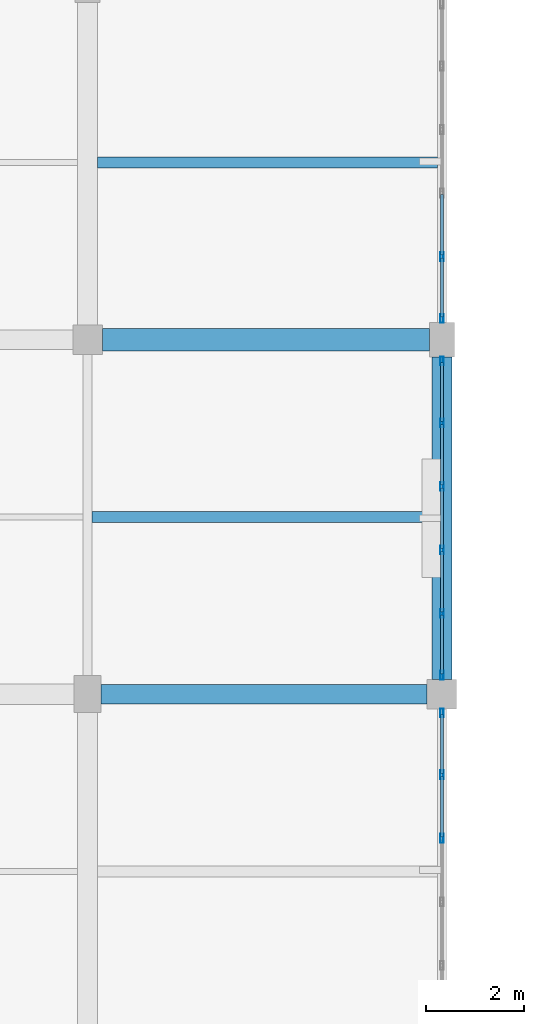
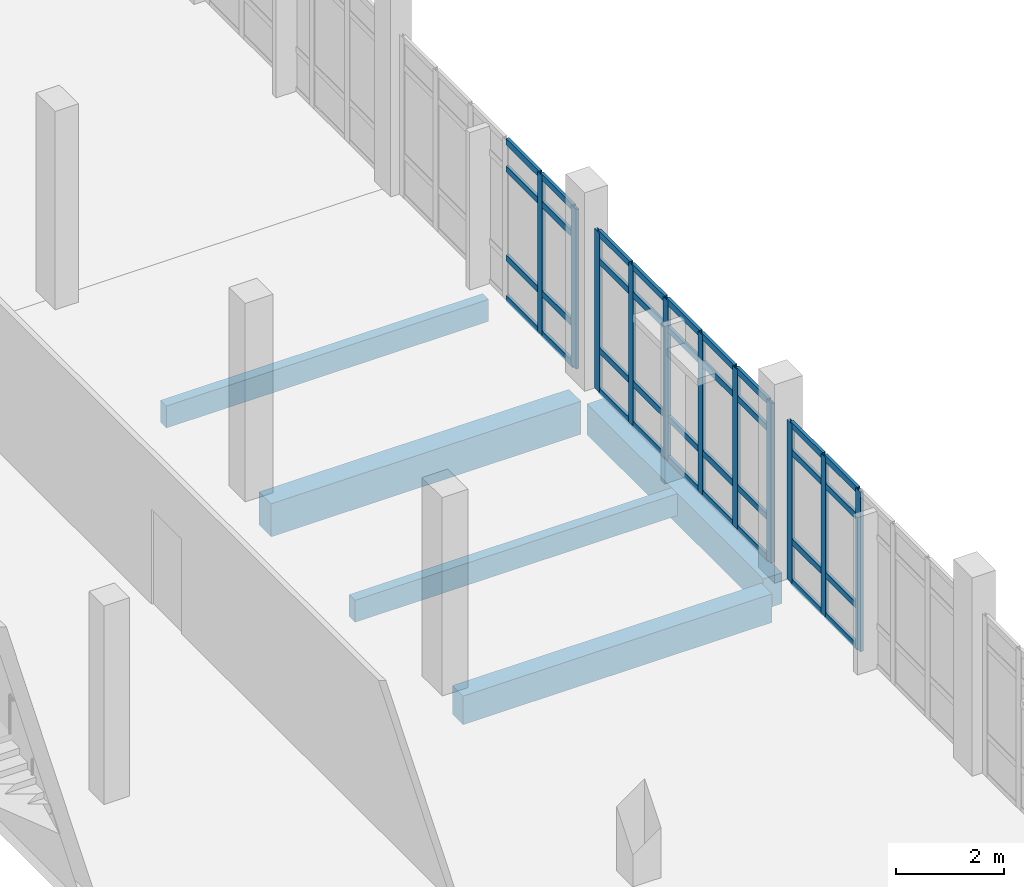
# One storey, part 11 of 57: 47 members, 5 beams, 3 elements without a shape of their own.
"""IFC4 building model written with IfcOpenShell, lengths in metres."""

from ifc_helpers import new_model, si_unit, direction, frame, origin, origin_2d, place, context, subcontext, project, spatial, rectangle, hollow_rectangle, extrude, material, material_profile, profile_set, type_object, element, aggregate, save


model = new_model("IFC4")

# Units and contexts
model_context = context("Model", 3, precision=1e-05, world=origin(), true_north=direction((0.0, 1.0)))
body_context = subcontext(model_context, "Body", "Model", "MODEL_VIEW")
ifc_project = project(units=[si_unit("LENGTHUNIT", "METRE"), si_unit("AREAUNIT", "SQUARE_METRE"), si_unit("VOLUMEUNIT", "CUBIC_METRE"), si_unit("PLANEANGLEUNIT", "RADIAN"), si_unit("MASSUNIT", "GRAM", prefix="KILO")], contexts=[model_context])

# Site, building, storey
site_placement = place(None, origin())
site = spatial("IfcSite", under=ifc_project, at=site_placement, CompositionType="ELEMENT")
building_placement = place(site_placement, origin())
building = spatial("IfcBuilding", under=site, at=building_placement, Name="Kalluvel Institute of Natural Sciences", CompositionType="ELEMENT")
storey_placement = place(building_placement, frame((0.0, 0.0, 23.39990234375)))
storey = spatial("IfcBuildingStorey", under=building, at=storey_placement, Name="L05", CompositionType="ELEMENT", Elevation=23.39990234375)

# Beams
ifc_material_1 = material(Name="Concrete M40", Category="concrete")
ifc_material_profile_1 = material_profile(ifc_material_1, rectangle(XDim=0.39990234375, YDim=0.64990234375, at=origin_2d()), Name="RCB 400x650")
ifc_profile_set_1 = profile_set([ifc_material_profile_1], Name="Concrete M40")
beam_type_1 = type_object("IfcBeamType", Name="BM-RC400x650", PredefinedType="BEAM", material=ifc_profile_set_1)
beam_1_placement = place(storey_placement, frame((28.675048828125, 50.0, -0.625), z_axis=(1.0, 0.0, 0.0), x_axis=(0.0, 1.0, 0.0)))
element("IfcBeam", 1, at=beam_1_placement, inside=storey, type_object=beam_type_1, Name="L05 girder GIR-L05-EW-X284-Y500", PredefinedType="BEAM", context=body_context, shape_type="SweptSolid", body=[
    extrude(rectangle(XDim=0.39990234375, YDim=0.64990234375, at=origin_2d()), origin(), (0.0, 0.0, 1.0), 6.625),
])
ifc_material_profile_2 = material_profile(ifc_material_1, rectangle(XDim=0.39990234375, YDim=0.699951171875, at=origin_2d()), Name="RCB 400x700")
ifc_profile_set_2 = profile_set([ifc_material_profile_2], Name="Concrete M40")
beam_type_2 = type_object("IfcBeamType", Name="BM-RC400x700", PredefinedType="BEAM", material=ifc_profile_set_2)
beam_2_placement = place(storey_placement, frame((35.60009765625, 50.300048828125, -0.64990234375), z_axis=(0.0, 1.0, 0.0), x_axis=(-1.0, 0.0, 0.0)))
element("IfcBeam", 2, at=beam_2_placement, inside=storey, type_object=beam_type_2, Name="L05 girder GIR-L05-NS-X356-Y500", PredefinedType="BEAM", context=body_context, shape_type="SweptSolid", body=[
    extrude(rectangle(XDim=0.39990234375, YDim=0.699951171875, at=origin_2d()), origin(), (0.0, 0.0, 1.0), 6.550048828125),
])
ifc_material_profile_3 = material_profile(ifc_material_1, rectangle(XDim=0.449951171875, YDim=0.75, at=origin_2d()), Name="RCB 450x750")
ifc_profile_set_3 = profile_set([ifc_material_profile_3], Name="Concrete M40")
beam_type_3 = type_object("IfcBeamType", Name="BM-RC450x750", PredefinedType="BEAM", material=ifc_profile_set_3)
beam_3_placement = place(storey_placement, frame((28.699951171875, 57.199951171875, -0.6748046875), z_axis=(1.0, 0.0, 0.0), x_axis=(0.0, 1.0, 0.0)))
element("IfcBeam", 3, at=beam_3_placement, inside=storey, type_object=beam_type_3, Name="L05 girder GIR-L05-EW-X284-Y572", PredefinedType="BEAM", context=body_context, shape_type="SweptSolid", body=[
    extrude(rectangle(XDim=0.449951171875, YDim=0.75, at=origin_2d()), origin(), (0.0, 0.0, 1.0), 6.650146484375),
])

# Curtain wall, members
ifc_material_2 = material(Name="Aluminium AW-6063 T6", Category="aluminium")
curtain_wall_type = type_object("IfcCurtainWallType", Name="CW-DRY-45", PredefinedType="USERDEFINED", material=ifc_material_2)
curtain_wall_1_placement = place(storey_placement, origin())
curtain_wall_1 = element("IfcCurtainWall", 4, at=curtain_wall_1_placement, inside=storey, type_object=curtain_wall_type, Name="L05 Gothic lancet curtain wall CWA-L05-X356-Y432", ObjectType="UNITISED LANCET FACADE", PredefinedType="USERDEFINED")
ifc_material_profile_4 = material_profile(ifc_material_2, hollow_rectangle(XDim=0.06494140625, YDim=0.179931640625, WallThickness=0.00439453125, at=origin_2d()), Name="CWM 65x180")
ifc_profile_set_4 = profile_set([ifc_material_profile_4], Name="Aluminium AW-6063 T6")
member_type_1 = type_object("IfcMemberType", Name="CWM-65x180", PredefinedType="MULLION", material=ifc_profile_set_4)
member_1_placement = place(storey_placement, frame((35.60009765625, 47.070068359375, 0.0), z_axis=(0.0, 0.0, 1.0), x_axis=(-1.0, 0.0, 0.0)))
member_1 = element("IfcMember", 5, at=member_1_placement, type_object=member_type_1, Name="CW-03 mullion 4", PredefinedType="MULLION", context=body_context, shape_type="SweptSolid", body=[
    extrude(hollow_rectangle(XDim=0.06494140625, YDim=0.179931640625, WallThickness=0.00439453125, at=origin_2d()), origin(), (0.0, 0.0, 1.0), 3.6201171875),
])
member_2_placement = place(storey_placement, frame((35.60009765625, 48.360107421875, 0.0), z_axis=(0.0, 0.0, 1.0), x_axis=(-1.0, 0.0, 0.0)))
member_2 = element("IfcMember", 6, at=member_2_placement, type_object=member_type_1, Name="CW-03 mullion 5", PredefinedType="MULLION", context=body_context, shape_type="SweptSolid", body=[
    extrude(hollow_rectangle(XDim=0.06494140625, YDim=0.179931640625, WallThickness=0.00439453125, at=origin_2d()), origin(), (0.0, 0.0, 1.0), 3.6201171875),
])
member_3_placement = place(storey_placement, frame((35.60009765625, 49.617431640625, 0.0), z_axis=(0.0, 0.0, 1.0), x_axis=(-1.0, 0.0, 0.0)))
member_3 = element("IfcMember", 7, at=member_3_placement, type_object=member_type_1, Name="CW-03 mullion 6", PredefinedType="MULLION", context=body_context, shape_type="SweptSolid", body=[
    extrude(hollow_rectangle(XDim=0.06494140625, YDim=0.179931640625, WallThickness=0.00439453125, at=origin_2d()), origin(), (0.0, 0.0, 1.0), 3.6201171875),
])

curtain_wall_2_placement = place(storey_placement, origin())
curtain_wall_2 = element("IfcCurtainWall", 8, at=curtain_wall_2_placement, inside=storey, type_object=curtain_wall_type, Name="L05 Gothic lancet curtain wall CWA-L05-X356-Y504", ObjectType="UNITISED LANCET FACADE", PredefinedType="USERDEFINED")
member_4_placement = place(storey_placement, frame((35.60009765625, 50.382568359375, 0.0), z_axis=(0.0, 0.0, 1.0), x_axis=(-1.0, 0.0, 0.0)))
member_4 = element("IfcMember", 9, at=member_4_placement, type_object=member_type_1, Name="CW-03 mullion 1", PredefinedType="MULLION", context=body_context, shape_type="SweptSolid", body=[
    extrude(hollow_rectangle(XDim=0.06494140625, YDim=0.179931640625, WallThickness=0.00439453125, at=origin_2d()), origin(), (0.0, 0.0, 1.0), 3.6201171875),
])
member_5_placement = place(storey_placement, frame((35.60009765625, 51.639892578125, 0.0), z_axis=(0.0, 0.0, 1.0), x_axis=(-1.0, 0.0, 0.0)))
member_5 = element("IfcMember", 10, at=member_5_placement, type_object=member_type_1, Name="CW-03 mullion 2", PredefinedType="MULLION", context=body_context, shape_type="SweptSolid", body=[
    extrude(hollow_rectangle(XDim=0.06494140625, YDim=0.179931640625, WallThickness=0.00439453125, at=origin_2d()), origin(), (0.0, 0.0, 1.0), 3.6201171875),
])
member_6_placement = place(storey_placement, frame((35.60009765625, 52.929931640625, 0.0), z_axis=(0.0, 0.0, 1.0), x_axis=(-1.0, 0.0, 0.0)))
member_6 = element("IfcMember", 11, at=member_6_placement, type_object=member_type_1, Name="CW-03 mullion 3", PredefinedType="MULLION", context=body_context, shape_type="SweptSolid", body=[
    extrude(hollow_rectangle(XDim=0.06494140625, YDim=0.179931640625, WallThickness=0.00439453125, at=origin_2d()), origin(), (0.0, 0.0, 1.0), 3.6201171875),
])
member_7_placement = place(storey_placement, frame((35.60009765625, 54.219970703125, 0.0), z_axis=(0.0, 0.0, 1.0), x_axis=(-1.0, 0.0, 0.0)))
member_7 = element("IfcMember", 12, at=member_7_placement, type_object=member_type_1, Name="CW-03 mullion 4", PredefinedType="MULLION", context=body_context, shape_type="SweptSolid", body=[
    extrude(hollow_rectangle(XDim=0.06494140625, YDim=0.179931640625, WallThickness=0.00439453125, at=origin_2d()), origin(), (0.0, 0.0, 1.0), 3.6201171875),
])
member_8_placement = place(storey_placement, frame((35.60009765625, 55.510009765625, 0.0), z_axis=(0.0, 0.0, 1.0), x_axis=(-1.0, 0.0, 0.0)))
member_8 = element("IfcMember", 13, at=member_8_placement, type_object=member_type_1, Name="CW-03 mullion 5", PredefinedType="MULLION", context=body_context, shape_type="SweptSolid", body=[
    extrude(hollow_rectangle(XDim=0.06494140625, YDim=0.179931640625, WallThickness=0.00439453125, at=origin_2d()), origin(), (0.0, 0.0, 1.0), 3.6201171875),
])
member_9_placement = place(storey_placement, frame((35.60009765625, 56.767578125, 0.0), z_axis=(0.0, 0.0, 1.0), x_axis=(-1.0, 0.0, 0.0)))
member_9 = element("IfcMember", 14, at=member_9_placement, type_object=member_type_1, Name="CW-03 mullion 6", PredefinedType="MULLION", context=body_context, shape_type="SweptSolid", body=[
    extrude(hollow_rectangle(XDim=0.06494140625, YDim=0.179931640625, WallThickness=0.00439453125, at=origin_2d()), origin(), (0.0, 0.0, 1.0), 3.6201171875),
])

curtain_wall_3_placement = place(storey_placement, origin())
curtain_wall_3 = element("IfcCurtainWall", 15, at=curtain_wall_3_placement, inside=storey, type_object=curtain_wall_type, Name="L05 Gothic lancet curtain wall CWA-L05-X356-Y576", ObjectType="UNITISED LANCET FACADE", PredefinedType="USERDEFINED")
member_10_placement = place(storey_placement, frame((35.60009765625, 57.632568359375, 0.0), z_axis=(0.0, 0.0, 1.0), x_axis=(-1.0, 0.0, 0.0)))
member_10 = element("IfcMember", 16, at=member_10_placement, type_object=member_type_1, Name="CW-03 mullion 1", PredefinedType="MULLION", context=body_context, shape_type="SweptSolid", body=[
    extrude(hollow_rectangle(XDim=0.06494140625, YDim=0.179931640625, WallThickness=0.00439453125, at=origin_2d()), origin(), (0.0, 0.0, 1.0), 3.6201171875),
])
member_11_placement = place(storey_placement, frame((35.60009765625, 58.889892578125, 0.0), z_axis=(0.0, 0.0, 1.0), x_axis=(-1.0, 0.0, 0.0)))
member_11 = element("IfcMember", 17, at=member_11_placement, type_object=member_type_1, Name="CW-03 mullion 2", PredefinedType="MULLION", context=body_context, shape_type="SweptSolid", body=[
    extrude(hollow_rectangle(XDim=0.06494140625, YDim=0.179931640625, WallThickness=0.00439453125, at=origin_2d()), origin(), (0.0, 0.0, 1.0), 3.6201171875),
])

# Member
ifc_material_profile_5 = material_profile(ifc_material_2, hollow_rectangle(XDim=0.06494140625, YDim=0.139892578125, WallThickness=0.00439453125, at=origin_2d()), Name="CWT 65x140")
ifc_profile_set_5 = profile_set([ifc_material_profile_5], Name="Aluminium AW-6063 T6")
member_type_2 = type_object("IfcMemberType", Name="CWT-65x140", PredefinedType="USERDEFINED", material=ifc_profile_set_5)
member_12_placement = place(storey_placement, frame((35.60009765625, 47.1025390625, 0.03271484375), z_axis=(0.0, 1.0, 0.0), x_axis=(-1.0, 0.0, 0.0)))
member_12 = element("IfcMember", 18, at=member_12_placement, type_object=member_type_2, Name="CW-03 transom 4.1", ObjectType="TRANSOM", PredefinedType="USERDEFINED", context=body_context, shape_type="SweptSolid", body=[
    extrude(hollow_rectangle(XDim=0.06494140625, YDim=0.139892578125, WallThickness=0.00439453125, at=origin_2d()), origin(), (0.0, 0.0, 1.0), 1.224853515625),
])

member_13_placement = place(storey_placement, frame((35.60009765625, 47.1025390625, 0.9501953125), z_axis=(0.0, 1.0, 0.0), x_axis=(-1.0, 0.0, 0.0)))
member_13 = element("IfcMember", 19, at=member_13_placement, type_object=member_type_2, Name="CW-03 transom 4.2", ObjectType="TRANSOM", PredefinedType="USERDEFINED", context=body_context, shape_type="SweptSolid", body=[
    extrude(hollow_rectangle(XDim=0.06494140625, YDim=0.139892578125, WallThickness=0.00439453125, at=origin_2d()), origin(), (0.0, 0.0, 1.0), 1.224853515625),
])

member_14_placement = place(storey_placement, frame((35.60009765625, 47.1025390625, 2.97021484375), z_axis=(0.0, 1.0, 0.0), x_axis=(-1.0, 0.0, 0.0)))
member_14 = element("IfcMember", 20, at=member_14_placement, type_object=member_type_2, Name="CW-03 transom 4.3", ObjectType="TRANSOM", PredefinedType="USERDEFINED", context=body_context, shape_type="SweptSolid", body=[
    extrude(hollow_rectangle(XDim=0.06494140625, YDim=0.139892578125, WallThickness=0.00439453125, at=origin_2d()), origin(), (0.0, 0.0, 1.0), 1.224853515625),
])

member_15_placement = place(storey_placement, frame((35.60009765625, 47.1025390625, 3.587646484375), z_axis=(0.0, 1.0, 0.0), x_axis=(-1.0, 0.0, 0.0)))
member_15 = element("IfcMember", 21, at=member_15_placement, type_object=member_type_2, Name="CW-03 transom 4.4", ObjectType="TRANSOM", PredefinedType="USERDEFINED", context=body_context, shape_type="SweptSolid", body=[
    extrude(hollow_rectangle(XDim=0.06494140625, YDim=0.139892578125, WallThickness=0.00439453125, at=origin_2d()), origin(), (0.0, 0.0, 1.0), 1.224853515625),
])

member_16_placement = place(storey_placement, frame((35.60009765625, 48.392578125, 0.03271484375), z_axis=(0.0, 1.0, 0.0), x_axis=(-1.0, 0.0, 0.0)))
member_16 = element("IfcMember", 22, at=member_16_placement, type_object=member_type_2, Name="CW-03 transom 5.1", ObjectType="TRANSOM", PredefinedType="USERDEFINED", context=body_context, shape_type="SweptSolid", body=[
    extrude(hollow_rectangle(XDim=0.06494140625, YDim=0.139892578125, WallThickness=0.00439453125, at=origin_2d()), origin(), (0.0, 0.0, 1.0), 1.1923828125),
])

member_17_placement = place(storey_placement, frame((35.60009765625, 48.392578125, 0.9501953125), z_axis=(0.0, 1.0, 0.0), x_axis=(-1.0, 0.0, 0.0)))
member_17 = element("IfcMember", 23, at=member_17_placement, type_object=member_type_2, Name="CW-03 transom 5.2", ObjectType="TRANSOM", PredefinedType="USERDEFINED", context=body_context, shape_type="SweptSolid", body=[
    extrude(hollow_rectangle(XDim=0.06494140625, YDim=0.139892578125, WallThickness=0.00439453125, at=origin_2d()), origin(), (0.0, 0.0, 1.0), 1.1923828125),
])

member_18_placement = place(storey_placement, frame((35.60009765625, 48.392578125, 2.97021484375), z_axis=(0.0, 1.0, 0.0), x_axis=(-1.0, 0.0, 0.0)))
member_18 = element("IfcMember", 24, at=member_18_placement, type_object=member_type_2, Name="CW-03 transom 5.3", ObjectType="TRANSOM", PredefinedType="USERDEFINED", context=body_context, shape_type="SweptSolid", body=[
    extrude(hollow_rectangle(XDim=0.06494140625, YDim=0.139892578125, WallThickness=0.00439453125, at=origin_2d()), origin(), (0.0, 0.0, 1.0), 1.1923828125),
])

member_19_placement = place(storey_placement, frame((35.60009765625, 48.392578125, 3.587646484375), z_axis=(0.0, 1.0, 0.0), x_axis=(-1.0, 0.0, 0.0)))
member_19 = element("IfcMember", 25, at=member_19_placement, type_object=member_type_2, Name="CW-03 transom 5.4", ObjectType="TRANSOM", PredefinedType="USERDEFINED", context=body_context, shape_type="SweptSolid", body=[
    extrude(hollow_rectangle(XDim=0.06494140625, YDim=0.139892578125, WallThickness=0.00439453125, at=origin_2d()), origin(), (0.0, 0.0, 1.0), 1.1923828125),
])

aggregate(curtain_wall_1, [member_1, member_2, member_3, member_12, member_13, member_14, member_15, member_16, member_17, member_18, member_19])

member_20_placement = place(storey_placement, frame((35.60009765625, 50.4150390625, 0.03271484375), z_axis=(0.0, 1.0, 0.0), x_axis=(-1.0, 0.0, 0.0)))
member_20 = element("IfcMember", 26, at=member_20_placement, type_object=member_type_2, Name="CW-03 transom 1.1", ObjectType="TRANSOM", PredefinedType="USERDEFINED", context=body_context, shape_type="SweptSolid", body=[
    extrude(hollow_rectangle(XDim=0.06494140625, YDim=0.139892578125, WallThickness=0.00439453125, at=origin_2d()), origin(), (0.0, 0.0, 1.0), 1.1923828125),
])

member_21_placement = place(storey_placement, frame((35.60009765625, 50.4150390625, 0.9501953125), z_axis=(0.0, 1.0, 0.0), x_axis=(-1.0, 0.0, 0.0)))
member_21 = element("IfcMember", 27, at=member_21_placement, type_object=member_type_2, Name="CW-03 transom 1.2", ObjectType="TRANSOM", PredefinedType="USERDEFINED", context=body_context, shape_type="SweptSolid", body=[
    extrude(hollow_rectangle(XDim=0.06494140625, YDim=0.139892578125, WallThickness=0.00439453125, at=origin_2d()), origin(), (0.0, 0.0, 1.0), 1.1923828125),
])

member_22_placement = place(storey_placement, frame((35.60009765625, 50.4150390625, 2.97021484375), z_axis=(0.0, 1.0, 0.0), x_axis=(-1.0, 0.0, 0.0)))
member_22 = element("IfcMember", 28, at=member_22_placement, type_object=member_type_2, Name="CW-03 transom 1.3", ObjectType="TRANSOM", PredefinedType="USERDEFINED", context=body_context, shape_type="SweptSolid", body=[
    extrude(hollow_rectangle(XDim=0.06494140625, YDim=0.139892578125, WallThickness=0.00439453125, at=origin_2d()), origin(), (0.0, 0.0, 1.0), 1.1923828125),
])

member_23_placement = place(storey_placement, frame((35.60009765625, 50.4150390625, 3.587646484375), z_axis=(0.0, 1.0, 0.0), x_axis=(-1.0, 0.0, 0.0)))
member_23 = element("IfcMember", 29, at=member_23_placement, type_object=member_type_2, Name="CW-03 transom 1.4", ObjectType="TRANSOM", PredefinedType="USERDEFINED", context=body_context, shape_type="SweptSolid", body=[
    extrude(hollow_rectangle(XDim=0.06494140625, YDim=0.139892578125, WallThickness=0.00439453125, at=origin_2d()), origin(), (0.0, 0.0, 1.0), 1.1923828125),
])

member_24_placement = place(storey_placement, frame((35.60009765625, 51.672607421875, 0.03271484375), z_axis=(0.0, 1.0, 0.0), x_axis=(-1.0, 0.0, 0.0)))
member_24 = element("IfcMember", 30, at=member_24_placement, type_object=member_type_2, Name="CW-03 transom 2.1", ObjectType="TRANSOM", PredefinedType="USERDEFINED", context=body_context, shape_type="SweptSolid", body=[
    extrude(hollow_rectangle(XDim=0.06494140625, YDim=0.139892578125, WallThickness=0.00439453125, at=origin_2d()), origin(), (0.0, 0.0, 1.0), 1.224853515625),
])

member_25_placement = place(storey_placement, frame((35.60009765625, 51.672607421875, 0.9501953125), z_axis=(0.0, 1.0, 0.0), x_axis=(-1.0, 0.0, 0.0)))
member_25 = element("IfcMember", 31, at=member_25_placement, type_object=member_type_2, Name="CW-03 transom 2.2", ObjectType="TRANSOM", PredefinedType="USERDEFINED", context=body_context, shape_type="SweptSolid", body=[
    extrude(hollow_rectangle(XDim=0.06494140625, YDim=0.139892578125, WallThickness=0.00439453125, at=origin_2d()), origin(), (0.0, 0.0, 1.0), 1.224853515625),
])

member_26_placement = place(storey_placement, frame((35.60009765625, 51.672607421875, 2.97021484375), z_axis=(0.0, 1.0, 0.0), x_axis=(-1.0, 0.0, 0.0)))
member_26 = element("IfcMember", 32, at=member_26_placement, type_object=member_type_2, Name="CW-03 transom 2.3", ObjectType="TRANSOM", PredefinedType="USERDEFINED", context=body_context, shape_type="SweptSolid", body=[
    extrude(hollow_rectangle(XDim=0.06494140625, YDim=0.139892578125, WallThickness=0.00439453125, at=origin_2d()), origin(), (0.0, 0.0, 1.0), 1.224853515625),
])

member_27_placement = place(storey_placement, frame((35.60009765625, 51.672607421875, 3.587646484375), z_axis=(0.0, 1.0, 0.0), x_axis=(-1.0, 0.0, 0.0)))
member_27 = element("IfcMember", 33, at=member_27_placement, type_object=member_type_2, Name="CW-03 transom 2.4", ObjectType="TRANSOM", PredefinedType="USERDEFINED", context=body_context, shape_type="SweptSolid", body=[
    extrude(hollow_rectangle(XDim=0.06494140625, YDim=0.139892578125, WallThickness=0.00439453125, at=origin_2d()), origin(), (0.0, 0.0, 1.0), 1.224853515625),
])

member_28_placement = place(storey_placement, frame((35.60009765625, 52.96240234375, 0.03271484375), z_axis=(0.0, 1.0, 0.0), x_axis=(-1.0, 0.0, 0.0)))
member_28 = element("IfcMember", 34, at=member_28_placement, type_object=member_type_2, Name="CW-03 transom 3.1", ObjectType="TRANSOM", PredefinedType="USERDEFINED", context=body_context, shape_type="SweptSolid", body=[
    extrude(hollow_rectangle(XDim=0.06494140625, YDim=0.139892578125, WallThickness=0.00439453125, at=origin_2d()), origin(), (0.0, 0.0, 1.0), 1.22509765625),
])

member_29_placement = place(storey_placement, frame((35.60009765625, 52.96240234375, 0.9501953125), z_axis=(0.0, 1.0, 0.0), x_axis=(-1.0, 0.0, 0.0)))
member_29 = element("IfcMember", 35, at=member_29_placement, type_object=member_type_2, Name="CW-03 transom 3.2", ObjectType="TRANSOM", PredefinedType="USERDEFINED", context=body_context, shape_type="SweptSolid", body=[
    extrude(hollow_rectangle(XDim=0.06494140625, YDim=0.139892578125, WallThickness=0.00439453125, at=origin_2d()), origin(), (0.0, 0.0, 1.0), 1.22509765625),
])

member_30_placement = place(storey_placement, frame((35.60009765625, 52.96240234375, 2.97021484375), z_axis=(0.0, 1.0, 0.0), x_axis=(-1.0, 0.0, 0.0)))
member_30 = element("IfcMember", 36, at=member_30_placement, type_object=member_type_2, Name="CW-03 transom 3.3", ObjectType="TRANSOM", PredefinedType="USERDEFINED", context=body_context, shape_type="SweptSolid", body=[
    extrude(hollow_rectangle(XDim=0.06494140625, YDim=0.139892578125, WallThickness=0.00439453125, at=origin_2d()), origin(), (0.0, 0.0, 1.0), 1.22509765625),
])

member_31_placement = place(storey_placement, frame((35.60009765625, 52.96240234375, 3.587646484375), z_axis=(0.0, 1.0, 0.0), x_axis=(-1.0, 0.0, 0.0)))
member_31 = element("IfcMember", 37, at=member_31_placement, type_object=member_type_2, Name="CW-03 transom 3.4", ObjectType="TRANSOM", PredefinedType="USERDEFINED", context=body_context, shape_type="SweptSolid", body=[
    extrude(hollow_rectangle(XDim=0.06494140625, YDim=0.139892578125, WallThickness=0.00439453125, at=origin_2d()), origin(), (0.0, 0.0, 1.0), 1.22509765625),
])

member_32_placement = place(storey_placement, frame((35.60009765625, 54.25244140625, 0.03271484375), z_axis=(0.0, 1.0, 0.0), x_axis=(-1.0, 0.0, 0.0)))
member_32 = element("IfcMember", 38, at=member_32_placement, type_object=member_type_2, Name="CW-03 transom 4.1", ObjectType="TRANSOM", PredefinedType="USERDEFINED", context=body_context, shape_type="SweptSolid", body=[
    extrude(hollow_rectangle(XDim=0.06494140625, YDim=0.139892578125, WallThickness=0.00439453125, at=origin_2d()), origin(), (0.0, 0.0, 1.0), 1.22509765625),
])

member_33_placement = place(storey_placement, frame((35.60009765625, 54.25244140625, 0.9501953125), z_axis=(0.0, 1.0, 0.0), x_axis=(-1.0, 0.0, 0.0)))
member_33 = element("IfcMember", 39, at=member_33_placement, type_object=member_type_2, Name="CW-03 transom 4.2", ObjectType="TRANSOM", PredefinedType="USERDEFINED", context=body_context, shape_type="SweptSolid", body=[
    extrude(hollow_rectangle(XDim=0.06494140625, YDim=0.139892578125, WallThickness=0.00439453125, at=origin_2d()), origin(), (0.0, 0.0, 1.0), 1.22509765625),
])

member_34_placement = place(storey_placement, frame((35.60009765625, 54.25244140625, 2.97021484375), z_axis=(0.0, 1.0, 0.0), x_axis=(-1.0, 0.0, 0.0)))
member_34 = element("IfcMember", 40, at=member_34_placement, type_object=member_type_2, Name="CW-03 transom 4.3", ObjectType="TRANSOM", PredefinedType="USERDEFINED", context=body_context, shape_type="SweptSolid", body=[
    extrude(hollow_rectangle(XDim=0.06494140625, YDim=0.139892578125, WallThickness=0.00439453125, at=origin_2d()), origin(), (0.0, 0.0, 1.0), 1.22509765625),
])

member_35_placement = place(storey_placement, frame((35.60009765625, 54.25244140625, 3.587646484375), z_axis=(0.0, 1.0, 0.0), x_axis=(-1.0, 0.0, 0.0)))
member_35 = element("IfcMember", 41, at=member_35_placement, type_object=member_type_2, Name="CW-03 transom 4.4", ObjectType="TRANSOM", PredefinedType="USERDEFINED", context=body_context, shape_type="SweptSolid", body=[
    extrude(hollow_rectangle(XDim=0.06494140625, YDim=0.139892578125, WallThickness=0.00439453125, at=origin_2d()), origin(), (0.0, 0.0, 1.0), 1.22509765625),
])

member_36_placement = place(storey_placement, frame((35.60009765625, 55.54248046875, 0.03271484375), z_axis=(0.0, 1.0, 0.0), x_axis=(-1.0, 0.0, 0.0)))
member_36 = element("IfcMember", 42, at=member_36_placement, type_object=member_type_2, Name="CW-03 transom 5.1", ObjectType="TRANSOM", PredefinedType="USERDEFINED", context=body_context, shape_type="SweptSolid", body=[
    extrude(hollow_rectangle(XDim=0.06494140625, YDim=0.139892578125, WallThickness=0.00439453125, at=origin_2d()), origin(), (0.0, 0.0, 1.0), 1.192626953125),
])

member_37_placement = place(storey_placement, frame((35.60009765625, 55.54248046875, 0.9501953125), z_axis=(0.0, 1.0, 0.0), x_axis=(-1.0, 0.0, 0.0)))
member_37 = element("IfcMember", 43, at=member_37_placement, type_object=member_type_2, Name="CW-03 transom 5.2", ObjectType="TRANSOM", PredefinedType="USERDEFINED", context=body_context, shape_type="SweptSolid", body=[
    extrude(hollow_rectangle(XDim=0.06494140625, YDim=0.139892578125, WallThickness=0.00439453125, at=origin_2d()), origin(), (0.0, 0.0, 1.0), 1.192626953125),
])

member_38_placement = place(storey_placement, frame((35.60009765625, 55.54248046875, 2.97021484375), z_axis=(0.0, 1.0, 0.0), x_axis=(-1.0, 0.0, 0.0)))
member_38 = element("IfcMember", 44, at=member_38_placement, type_object=member_type_2, Name="CW-03 transom 5.3", ObjectType="TRANSOM", PredefinedType="USERDEFINED", context=body_context, shape_type="SweptSolid", body=[
    extrude(hollow_rectangle(XDim=0.06494140625, YDim=0.139892578125, WallThickness=0.00439453125, at=origin_2d()), origin(), (0.0, 0.0, 1.0), 1.192626953125),
])

member_39_placement = place(storey_placement, frame((35.60009765625, 55.54248046875, 3.587646484375), z_axis=(0.0, 1.0, 0.0), x_axis=(-1.0, 0.0, 0.0)))
member_39 = element("IfcMember", 45, at=member_39_placement, type_object=member_type_2, Name="CW-03 transom 5.4", ObjectType="TRANSOM", PredefinedType="USERDEFINED", context=body_context, shape_type="SweptSolid", body=[
    extrude(hollow_rectangle(XDim=0.06494140625, YDim=0.139892578125, WallThickness=0.00439453125, at=origin_2d()), origin(), (0.0, 0.0, 1.0), 1.192626953125),
])

aggregate(curtain_wall_2, [member_4, member_5, member_6, member_7, member_8, member_9, member_20, member_21, member_22, member_23, member_24, member_25, member_26, member_27, member_28, member_29, member_30, member_31, member_32, member_33, member_34, member_35, member_36, member_37, member_38, member_39])

member_40_placement = place(storey_placement, frame((35.60009765625, 57.6650390625, 0.03271484375), z_axis=(0.0, 1.0, 0.0), x_axis=(-1.0, 0.0, 0.0)))
member_40 = element("IfcMember", 46, at=member_40_placement, type_object=member_type_2, Name="CW-03 transom 1.1", ObjectType="TRANSOM", PredefinedType="USERDEFINED", context=body_context, shape_type="SweptSolid", body=[
    extrude(hollow_rectangle(XDim=0.06494140625, YDim=0.139892578125, WallThickness=0.00439453125, at=origin_2d()), origin(), (0.0, 0.0, 1.0), 1.1923828125),
])

member_41_placement = place(storey_placement, frame((35.60009765625, 57.6650390625, 0.9501953125), z_axis=(0.0, 1.0, 0.0), x_axis=(-1.0, 0.0, 0.0)))
member_41 = element("IfcMember", 47, at=member_41_placement, type_object=member_type_2, Name="CW-03 transom 1.2", ObjectType="TRANSOM", PredefinedType="USERDEFINED", context=body_context, shape_type="SweptSolid", body=[
    extrude(hollow_rectangle(XDim=0.06494140625, YDim=0.139892578125, WallThickness=0.00439453125, at=origin_2d()), origin(), (0.0, 0.0, 1.0), 1.1923828125),
])

member_42_placement = place(storey_placement, frame((35.60009765625, 57.6650390625, 2.97021484375), z_axis=(0.0, 1.0, 0.0), x_axis=(-1.0, 0.0, 0.0)))
member_42 = element("IfcMember", 48, at=member_42_placement, type_object=member_type_2, Name="CW-03 transom 1.3", ObjectType="TRANSOM", PredefinedType="USERDEFINED", context=body_context, shape_type="SweptSolid", body=[
    extrude(hollow_rectangle(XDim=0.06494140625, YDim=0.139892578125, WallThickness=0.00439453125, at=origin_2d()), origin(), (0.0, 0.0, 1.0), 1.1923828125),
])

member_43_placement = place(storey_placement, frame((35.60009765625, 57.6650390625, 3.587646484375), z_axis=(0.0, 1.0, 0.0), x_axis=(-1.0, 0.0, 0.0)))
member_43 = element("IfcMember", 49, at=member_43_placement, type_object=member_type_2, Name="CW-03 transom 1.4", ObjectType="TRANSOM", PredefinedType="USERDEFINED", context=body_context, shape_type="SweptSolid", body=[
    extrude(hollow_rectangle(XDim=0.06494140625, YDim=0.139892578125, WallThickness=0.00439453125, at=origin_2d()), origin(), (0.0, 0.0, 1.0), 1.1923828125),
])

member_44_placement = place(storey_placement, frame((35.60009765625, 58.922607421875, 0.03271484375), z_axis=(0.0, 1.0, 0.0), x_axis=(-1.0, 0.0, 0.0)))
member_44 = element("IfcMember", 50, at=member_44_placement, type_object=member_type_2, Name="CW-03 transom 2.1", ObjectType="TRANSOM", PredefinedType="USERDEFINED", context=body_context, shape_type="SweptSolid", body=[
    extrude(hollow_rectangle(XDim=0.06494140625, YDim=0.139892578125, WallThickness=0.00439453125, at=origin_2d()), origin(), (0.0, 0.0, 1.0), 1.224853515625),
])

member_45_placement = place(storey_placement, frame((35.60009765625, 58.922607421875, 0.9501953125), z_axis=(0.0, 1.0, 0.0), x_axis=(-1.0, 0.0, 0.0)))
member_45 = element("IfcMember", 51, at=member_45_placement, type_object=member_type_2, Name="CW-03 transom 2.2", ObjectType="TRANSOM", PredefinedType="USERDEFINED", context=body_context, shape_type="SweptSolid", body=[
    extrude(hollow_rectangle(XDim=0.06494140625, YDim=0.139892578125, WallThickness=0.00439453125, at=origin_2d()), origin(), (0.0, 0.0, 1.0), 1.224853515625),
])

member_46_placement = place(storey_placement, frame((35.60009765625, 58.922607421875, 2.97021484375), z_axis=(0.0, 1.0, 0.0), x_axis=(-1.0, 0.0, 0.0)))
member_46 = element("IfcMember", 52, at=member_46_placement, type_object=member_type_2, Name="CW-03 transom 2.3", ObjectType="TRANSOM", PredefinedType="USERDEFINED", context=body_context, shape_type="SweptSolid", body=[
    extrude(hollow_rectangle(XDim=0.06494140625, YDim=0.139892578125, WallThickness=0.00439453125, at=origin_2d()), origin(), (0.0, 0.0, 1.0), 1.224853515625),
])

member_47_placement = place(storey_placement, frame((35.60009765625, 58.922607421875, 3.587646484375), z_axis=(0.0, 1.0, 0.0), x_axis=(-1.0, 0.0, 0.0)))
member_47 = element("IfcMember", 53, at=member_47_placement, type_object=member_type_2, Name="CW-03 transom 2.4", ObjectType="TRANSOM", PredefinedType="USERDEFINED", context=body_context, shape_type="SweptSolid", body=[
    extrude(hollow_rectangle(XDim=0.06494140625, YDim=0.139892578125, WallThickness=0.00439453125, at=origin_2d()), origin(), (0.0, 0.0, 1.0), 1.224853515625),
])

aggregate(curtain_wall_3, [member_10, member_11, member_40, member_41, member_42, member_43, member_44, member_45, member_46, member_47])

# Beams
ifc_material_profile_6 = material_profile(ifc_material_1, rectangle(XDim=0.219970703125, YDim=0.5, at=origin_2d()), Name="WAF 220x500")
ifc_profile_set_6 = profile_set([ifc_material_profile_6], Name="Concrete M40")
beam_type_4 = type_object("IfcBeamType", Name="WJ-220x500", PredefinedType="JOIST", material=ifc_profile_set_6)
for number, where, z_axis, x_axis, name in (
    (54, (28.489990234375, 53.60009765625, -0.5498046875), (1.0, 0.0, 0.0), (0.0, 1.0, 0.0), "L05 floor rib RIB-L05-0742"),
    (55, (28.60009765625, 60.800048828125, -0.5498046875), (1.0, 0.0, 0.0), (0.0, 1.0, 0.0), "L05 floor rib RIB-L05-0745"),
):
    element("IfcBeam", number, at=place(storey_placement, frame(where, z_axis=z_axis, x_axis=x_axis)), inside=storey, type_object=beam_type_4, Name=name, PredefinedType="JOIST", context=body_context, shape_type="SweptSolid", body=[
        extrude(rectangle(XDim=0.219970703125, YDim=0.5, at=origin_2d()), origin(), (0.0, 0.0, 1.0), 6.909912109375),
    ])

save(model, "model.ifc")
